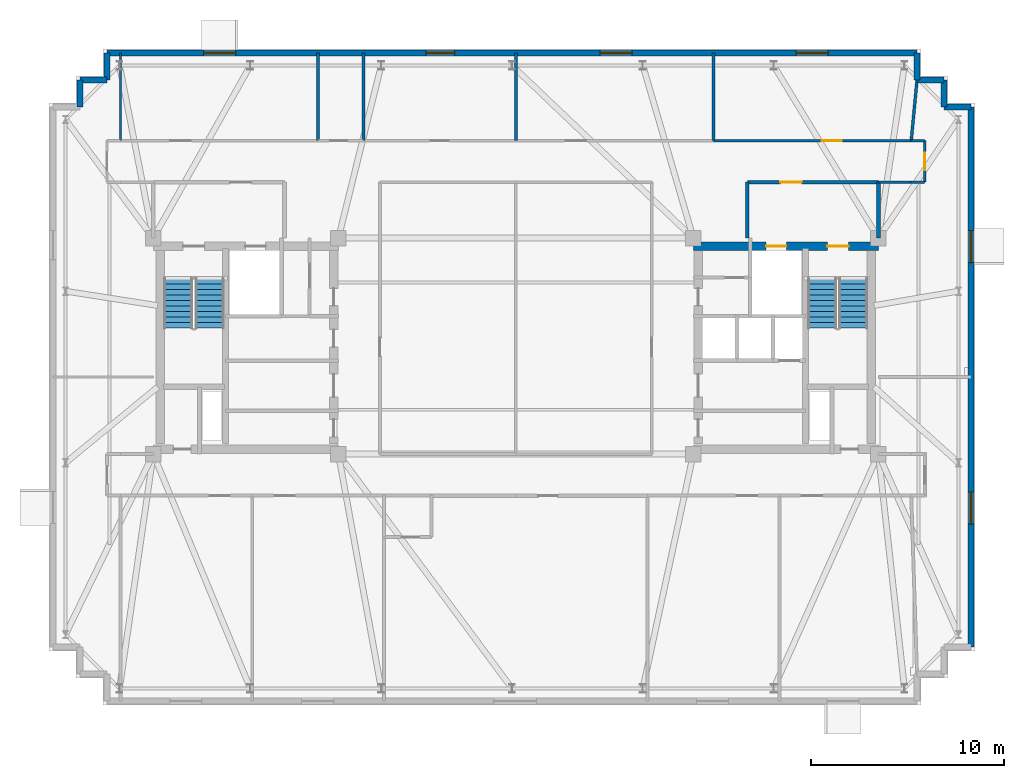
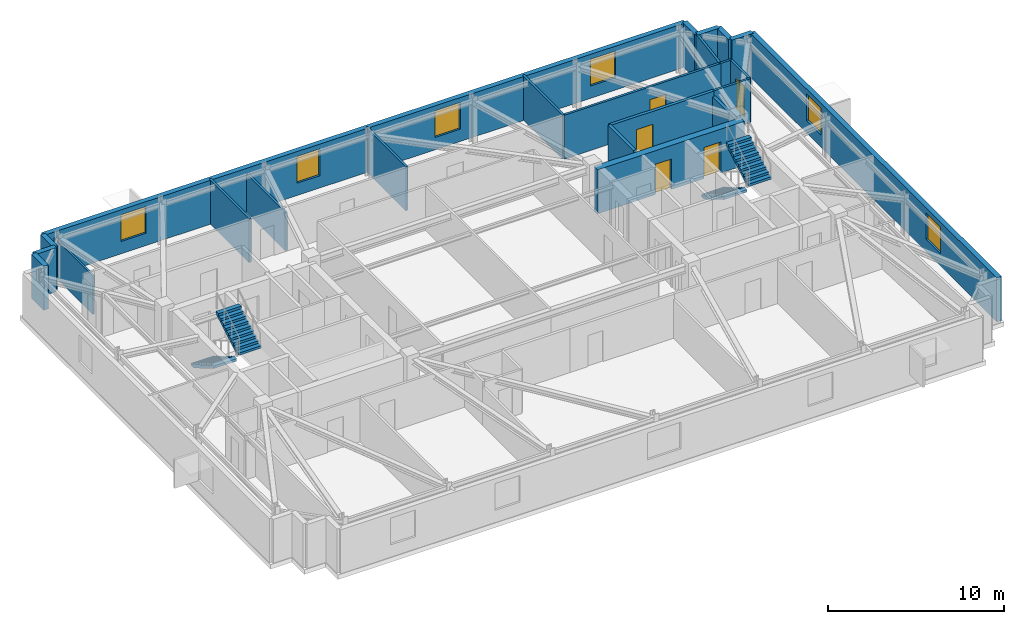
# One storey, part 8 of 10: 24 walls, 6 windows, 5 doors, 4 stair flights, 11 openings, 2 elements without a shape of their own.
"""IFC4 building model written with IfcOpenShell, lengths in metres."""

from ifc_helpers import new_model, si_unit, direction, frame, frame_2d, origin, place, context, subcontext, project, spatial, polyline, rectangle, outline, extrude, material, layer, layer_set, type_object, element, fill, aggregate, save


model = new_model("IFC4")

# Units and contexts
model_context = context("Model", 3, precision=1e-05, world=origin(), true_north=direction((0.0, 1.0)))
body_context = subcontext(model_context, "Body", "Model", "MODEL_VIEW")
ifc_project = project(units=[si_unit("LENGTHUNIT", "METRE"), si_unit("AREAUNIT", "SQUARE_METRE"), si_unit("VOLUMEUNIT", "CUBIC_METRE"), si_unit("PLANEANGLEUNIT", "RADIAN"), si_unit("MASSUNIT", "GRAM", prefix="KILO")], contexts=[model_context])

# Site, building, storey
site_placement = place(None, origin())
site = spatial("IfcSite", under=ifc_project, at=site_placement, CompositionType="ELEMENT")
building_placement = place(site_placement, origin())
building = spatial("IfcBuilding", under=site, at=building_placement, Name="Qobustan Lattice House", CompositionType="ELEMENT")
storey_placement = place(building_placement, frame((0.0, 0.0, 235.0)))
storey = spatial("IfcBuildingStorey", under=building, at=storey_placement, Name="L66", CompositionType="ELEMENT", Elevation=235.0)

# Wall, openings, doors
ifc_material_1 = material(Name="Concrete C50/60", Category="concrete")
ifc_layer_1 = layer(ifc_material_1, 0.43994140625)
ifc_layer_set_1 = layer_set([ifc_layer_1], Name="Concrete C50/60")
wall_type_1 = type_object("IfcWallType", Name="WAL-CORE-440", PredefinedType="SHEAR", material=ifc_layer_set_1)
wall_1_placement = place(storey_placement, frame((9.199951171875, 5.179931640625, 0.0), z_axis=(0.0, 0.0, 1.0), x_axis=(1.0, 0.0, 0.0)))
wall_1 = element("IfcWall", 1, at=wall_1_placement, inside=storey, type_object=wall_type_1, Name="L66 split-core shear wall CE-N", PredefinedType="SHEAR", context=body_context, shape_type="SweptSolid", body=[
    extrude(rectangle(XDim=9.60009765625, YDim=0.43994140625, at=frame_2d((4.800048828125, 0.0))), origin(), (0.0, 0.0, 1.0), 3.0400390625),
])
opening_1_placement = place(wall_1_placement, frame((6.949951171875, 0.0, 0.0)))
opening_1 = element("IfcOpeningElement", 2, at=opening_1_placement, cuts=wall_1, Name="Opening SD-01", PredefinedType="OPENING", context=body_context, shape_type="SweptSolid", body=[
    extrude(rectangle(XDim=1.10009765625, YDim=2.14990234375, at=frame_2d((0.550048828125, 1.074951171875))), frame((0.0, 0.22998046875, 0.0), z_axis=(0.0, -1.0, 0.0), x_axis=(1.0, 0.0, 0.0)), (0.0, 0.0, 1.0), 0.4599609375),
])
opening_2_placement = place(wall_1_placement, frame((3.77490234375, 0.0, 0.0)))
opening_2 = element("IfcOpeningElement", 3, at=opening_2_placement, cuts=wall_1, Name="Opening LD-01", PredefinedType="OPENING", context=body_context, shape_type="SweptSolid", body=[
    extrude(rectangle(XDim=1.050048828125, YDim=2.10009765625, at=frame_2d((0.52490234375, 1.050048828125))), frame((0.0, 0.22998046875, 0.0), z_axis=(0.0, -1.0, 0.0), x_axis=(1.0, 0.0, 0.0)), (0.0, 0.0, 1.0), 0.4599609375),
])
ifc_material_2 = material(Name="Persian walnut timber and steel frame door", Category="steel")
door_type_1 = type_object("IfcDoorType", Name="DOR-LIFT-LD-1050x2100", OperationType="NOTDEFINED", PredefinedType="DOOR", material=ifc_material_2)
door_1_placement = place(opening_2_placement, origin())
door_1 = element("IfcDoor", 4, at=door_1_placement, inside=storey, type_object=door_type_1, Name="L66 firefighting lift FF-E landing door", OperationType="DOUBLE_DOOR_SLIDING", OverallHeight=2.10009765625, OverallWidth=1.050048828125, PredefinedType="DOOR", context=body_context, shape_type="SweptSolid", body=[
    extrude(rectangle(XDim=1.050048828125, YDim=2.10009765625, at=frame_2d((0.52490234375, 1.050048828125))), frame((0.0, 0.02490234375, 0.0), z_axis=(0.0, -1.0, 0.0), x_axis=(1.0, 0.0, 0.0)), (0.0, 0.0, 1.0), 0.050048828125),
])
fill(opening_2, door_1)
ifc_material_3 = material(Name="Persian walnut timber and steel frame door", Category="steel")
door_type_2 = type_object("IfcDoorType", Name="DOR-STAIR-FD-1100x2150", OperationType="NOTDEFINED", PredefinedType="DOOR", material=ifc_material_3)
door_2_placement = place(opening_1_placement, origin())
door_2 = element("IfcDoor", 5, at=door_2_placement, inside=storey, type_object=door_type_2, Name="L66 exit stair ST-E1 fire door", OperationType="SINGLE_SWING_LEFT", OverallHeight=2.14990234375, OverallWidth=1.10009765625, PredefinedType="DOOR", context=body_context, shape_type="SweptSolid", body=[
    extrude(rectangle(XDim=1.10009765625, YDim=2.14990234375, at=frame_2d((0.550048828125, 1.074951171875))), frame((0.0, 0.02490234375, 0.0), z_axis=(0.0, -1.0, 0.0), x_axis=(1.0, 0.0, 0.0)), (0.0, 0.0, 1.0), 0.050048828125),
])
fill(opening_1, door_2)

# Walls
ifc_material_4 = material(Name="Precast concrete C40/50", Category="concrete")
ifc_layer_2 = layer(ifc_material_4, 0.320068359375)
ifc_layer_set_2 = layer_set([ifc_layer_2], Name="Precast concrete C40/50")
wall_type_2 = type_object("IfcWallType", Name="WAL-EXT-STONE-320", PredefinedType="SOLIDWALL", material=ifc_layer_set_2)
for number, where, z_axis, x_axis, name in (
    (6, (-22.60009765625, 12.39990234375, 0.0), (0.0, 0.0, 1.0), (0.0, 1.0, 0.0), "L66 exterior limestone-clad wall 7"),
    (7, (-22.60009765625, 13.800048828125, 0.0), (0.0, 0.0, 1.0), (1.0, 0.0, 0.0), "L66 exterior limestone-clad wall 8"),
):
    element("IfcWall", number, at=place(storey_placement, frame(where, z_axis=z_axis, x_axis=x_axis)), inside=storey, type_object=wall_type_2, Name=name, PredefinedType="SOLIDWALL", context=body_context, shape_type="SweptSolid", body=[
        extrude(rectangle(XDim=1.400146484375, YDim=0.320068359375, at=frame_2d((0.7001953125, 0.0))), origin(), (0.0, 0.0, 1.0), 3.0400390625),
    ])
wall_2_placement = place(storey_placement, frame((-21.199951171875, 13.800048828125, 0.0), z_axis=(0.0, 0.0, 1.0), x_axis=(0.0, 1.0, 0.0)))
element("IfcWall", 8, at=wall_2_placement, inside=storey, type_object=wall_type_2, Name="L66 exterior limestone-clad wall 9", PredefinedType="SOLIDWALL", context=body_context, shape_type="SweptSolid", body=[
    extrude(rectangle(XDim=1.39990234375, YDim=0.320068359375, at=frame_2d((0.699951171875, 0.0))), origin(), (0.0, 0.0, 1.0), 3.0400390625),
])

# Wall, openings, windows
wall_3_placement = place(storey_placement, frame((-21.199951171875, 15.199951171875, 0.0), z_axis=(0.0, 0.0, 1.0), x_axis=(1.0, 0.0, 0.0)))
wall_3 = element("IfcWall", 9, at=wall_3_placement, inside=storey, type_object=wall_type_2, Name="L66 exterior limestone-clad wall 10", PredefinedType="SOLIDWALL", context=body_context, shape_type="SweptSolid", body=[
    extrude(rectangle(XDim=42.0, YDim=0.320068359375, at=frame_2d((21.0, 0.0))), origin(), (0.0, 0.0, 1.0), 3.0400390625),
])
opening_3_placement = place(wall_3_placement, frame((5.014892578125, 0.0, 0.85009765625)))
opening_3 = element("IfcOpeningElement", 10, at=opening_3_placement, cuts=wall_3, Name="Opening WN-09", PredefinedType="OPENING", context=body_context, shape_type="SweptSolid", body=[
    extrude(rectangle(XDim=1.64990234375, YDim=1.85009765625, at=frame_2d((0.824951171875, 0.925048828125))), frame((0.0, 0.169921875, 0.0), z_axis=(0.0, -1.0, 0.0), x_axis=(1.0, 0.0, 0.0)), (0.0, 0.0, 1.0), 0.340087890625),
])
opening_4_placement = place(wall_3_placement, frame((16.530029296875, 0.0, 0.85009765625)))
opening_4 = element("IfcOpeningElement", 11, at=opening_4_placement, cuts=wall_3, Name="Opening WN-01", PredefinedType="OPENING", context=body_context, shape_type="SweptSolid", body=[
    extrude(rectangle(XDim=1.5, YDim=1.85009765625, at=frame_2d((0.75, 0.925048828125))), frame((0.0, 0.169921875, 0.0), z_axis=(0.0, -1.0, 0.0), x_axis=(1.0, 0.0, 0.0)), (0.0, 0.0, 1.0), 0.340087890625),
])
opening_5_placement = place(wall_3_placement, frame((25.574951171875, 0.0, 0.85009765625)))
opening_5 = element("IfcOpeningElement", 12, at=opening_5_placement, cuts=wall_3, Name="Opening WN-09", PredefinedType="OPENING", context=body_context, shape_type="SweptSolid", body=[
    extrude(rectangle(XDim=1.64990234375, YDim=1.85009765625, at=frame_2d((0.824951171875, 0.925048828125))), frame((0.0, 0.169921875, 0.0), z_axis=(0.0, -1.0, 0.0), x_axis=(1.0, 0.0, 0.0)), (0.0, 0.0, 1.0), 0.340087890625),
])
opening_6_placement = place(wall_3_placement, frame((35.735107421875, 0.0, 0.85009765625)))
opening_6 = element("IfcOpeningElement", 13, at=opening_6_placement, cuts=wall_3, Name="Opening WN-09", PredefinedType="OPENING", context=body_context, shape_type="SweptSolid", body=[
    extrude(rectangle(XDim=1.64990234375, YDim=1.85009765625, at=frame_2d((0.824951171875, 0.925048828125))), frame((0.0, 0.169921875, 0.0), z_axis=(0.0, -1.0, 0.0), x_axis=(1.0, 0.0, 0.0)), (0.0, 0.0, 1.0), 0.340087890625),
])
ifc_material_5 = material(Name="Double-glazed low-E aluminium window", Category="aluminium")
window_type_1 = type_object("IfcWindowType", Name="WIN-BED-1500x1850", PartitioningType="SINGLE_PANEL", PredefinedType="WINDOW", material=ifc_material_5)
window_1_placement = place(opening_4_placement, origin())
window_1 = element("IfcWindow", 14, at=window_1_placement, inside=storey, type_object=window_type_1, Name="L66 Laundry utility room window", OverallHeight=1.85009765625, OverallWidth=1.5, PartitioningType="SINGLE_PANEL", PredefinedType="WINDOW", context=body_context, shape_type="SweptSolid", body=[
    extrude(rectangle(XDim=1.5, YDim=1.85009765625, at=frame_2d((0.75, 0.925048828125))), frame((0.0, 0.030029296875, 0.0), z_axis=(0.0, -1.0, 0.0), x_axis=(1.0, 0.0, 0.0)), (0.0, 0.0, 1.0), 0.06005859375),
])
fill(opening_4, window_1)
ifc_material_6 = material(Name="Double-glazed low-E aluminium window", Category="aluminium")
window_type_2 = type_object("IfcWindowType", Name="WIN-STU-1650x1850", PartitioningType="SINGLE_PANEL", PredefinedType="WINDOW", material=ifc_material_6)
window_2_placement = place(opening_3_placement, origin())
window_2 = element("IfcWindow", 15, at=window_2_placement, inside=storey, type_object=window_type_2, Name="L66 Focus study room N1 window", OverallHeight=1.85009765625, OverallWidth=1.64990234375, PartitioningType="SINGLE_PANEL", PredefinedType="WINDOW", context=body_context, shape_type="SweptSolid", body=[
    extrude(rectangle(XDim=1.64990234375, YDim=1.85009765625, at=frame_2d((0.824951171875, 0.925048828125))), frame((0.0, 0.030029296875, 0.0), z_axis=(0.0, -1.0, 0.0), x_axis=(1.0, 0.0, 0.0)), (0.0, 0.0, 1.0), 0.06005859375),
])
fill(opening_3, window_2)
window_3_placement = place(opening_5_placement, origin())
window_3 = element("IfcWindow", 16, at=window_3_placement, inside=storey, type_object=window_type_2, Name="L66 Focus study room N3 window", OverallHeight=1.85009765625, OverallWidth=1.64990234375, PartitioningType="SINGLE_PANEL", PredefinedType="WINDOW", context=body_context, shape_type="SweptSolid", body=[
    extrude(rectangle(XDim=1.64990234375, YDim=1.85009765625, at=frame_2d((0.824951171875, 0.925048828125))), frame((0.0, 0.030029296875, 0.0), z_axis=(0.0, -1.0, 0.0), x_axis=(1.0, 0.0, 0.0)), (0.0, 0.0, 1.0), 0.06005859375),
])
fill(opening_5, window_3)
window_4_placement = place(opening_6_placement, origin())
window_4 = element("IfcWindow", 17, at=window_4_placement, inside=storey, type_object=window_type_2, Name="L66 Focus study room N4 window", OverallHeight=1.85009765625, OverallWidth=1.64990234375, PartitioningType="SINGLE_PANEL", PredefinedType="WINDOW", context=body_context, shape_type="SweptSolid", body=[
    extrude(rectangle(XDim=1.64990234375, YDim=1.85009765625, at=frame_2d((0.824951171875, 0.925048828125))), frame((0.0, 0.030029296875, 0.0), z_axis=(0.0, -1.0, 0.0), x_axis=(1.0, 0.0, 0.0)), (0.0, 0.0, 1.0), 0.06005859375),
])
fill(opening_6, window_4)

# Walls
for number, where, z_axis, x_axis, name in (
    (18, (20.800048828125, 15.199951171875, 0.0), (0.0, 0.0, 1.0), (0.0, -1.0, 0.0), "L66 exterior limestone-clad wall 11"),
    (19, (20.800048828125, 13.800048828125, 0.0), (0.0, 0.0, 1.0), (1.0, 0.0, 0.0), "L66 exterior limestone-clad wall 12"),
):
    element("IfcWall", number, at=place(storey_placement, frame(where, z_axis=z_axis, x_axis=x_axis)), inside=storey, type_object=wall_type_2, Name=name, PredefinedType="SOLIDWALL", context=body_context, shape_type="SweptSolid", body=[
        extrude(rectangle(XDim=1.39990234375, YDim=0.320068359375, at=frame_2d((0.699951171875, 0.0))), origin(), (0.0, 0.0, 1.0), 3.0400390625),
    ])
for number, where, z_axis, x_axis, name in (
    (20, (22.199951171875, 13.800048828125, 0.0), (0.0, 0.0, 1.0), (0.0, -1.0, 0.0), "L66 exterior limestone-clad wall 13"),
    (21, (22.199951171875, 12.39990234375, 0.0), (0.0, 0.0, 1.0), (1.0, 0.0, 0.0), "L66 exterior limestone-clad wall 14"),
):
    element("IfcWall", number, at=place(storey_placement, frame(where, z_axis=z_axis, x_axis=x_axis)), inside=storey, type_object=wall_type_2, Name=name, PredefinedType="SOLIDWALL", context=body_context, shape_type="SweptSolid", body=[
        extrude(rectangle(XDim=1.400146484375, YDim=0.320068359375, at=frame_2d((0.7001953125, 0.0))), origin(), (0.0, 0.0, 1.0), 3.0400390625),
    ])

# Wall, openings, windows
wall_4_placement = place(storey_placement, frame((23.60009765625, 12.39990234375, 0.0), z_axis=(0.0, 0.0, 1.0), x_axis=(0.0, -1.0, 0.0)))
wall_4 = element("IfcWall", 22, at=wall_4_placement, inside=storey, type_object=wall_type_2, Name="L66 exterior limestone-clad wall 15", PredefinedType="SOLIDWALL", context=body_context, shape_type="SweptSolid", body=[
    extrude(rectangle(XDim=28.0, YDim=0.320068359375, at=frame_2d((14.0, 0.0))), origin(), (0.0, 0.0, 1.0), 3.0400390625),
])
opening_7_placement = place(wall_4_placement, frame((6.4150390625, 0.0, 0.85009765625)))
opening_7 = element("IfcOpeningElement", 23, at=opening_7_placement, cuts=wall_4, Name="Opening WN-09", PredefinedType="OPENING", context=body_context, shape_type="SweptSolid", body=[
    extrude(rectangle(XDim=1.64990234375, YDim=1.85009765625, at=frame_2d((0.824951171875, 0.925048828125))), frame((0.0, 0.169921875, 0.0), z_axis=(0.0, -1.0, 0.0), x_axis=(1.0, 0.0, 0.0)), (0.0, 0.0, 1.0), 0.340087890625),
])
opening_8_placement = place(wall_4_placement, frame((19.97509765625, 0.0, 0.85009765625)))
opening_8 = element("IfcOpeningElement", 24, at=opening_8_placement, cuts=wall_4, Name="Opening WN-09", PredefinedType="OPENING", context=body_context, shape_type="SweptSolid", body=[
    extrude(rectangle(XDim=1.64990234375, YDim=1.85009765625, at=frame_2d((0.824951171875, 0.925048828125))), frame((0.0, 0.169921875, 0.0), z_axis=(0.0, -1.0, 0.0), x_axis=(1.0, 0.0, 0.0)), (0.0, 0.0, 1.0), 0.340087890625),
])
window_5_placement = place(opening_7_placement, origin())
window_5 = element("IfcWindow", 25, at=window_5_placement, inside=storey, type_object=window_type_2, Name="L66 Collaborative tutorial room window", OverallHeight=1.85009765625, OverallWidth=1.64990234375, PartitioningType="SINGLE_PANEL", PredefinedType="WINDOW", context=body_context, shape_type="SweptSolid", body=[
    extrude(rectangle(XDim=1.64990234375, YDim=1.85009765625, at=frame_2d((0.824951171875, 0.925048828125))), frame((0.0, 0.030029296875, 0.0), z_axis=(0.0, -1.0, 0.0), x_axis=(1.0, 0.0, 0.0)), (0.0, 0.0, 1.0), 0.06005859375),
])
fill(opening_7, window_5)
window_6_placement = place(opening_8_placement, origin())
window_6 = element("IfcWindow", 26, at=window_6_placement, inside=storey, type_object=window_type_2, Name="L66 Fellows reading room window", OverallHeight=1.85009765625, OverallWidth=1.64990234375, PartitioningType="SINGLE_PANEL", PredefinedType="WINDOW", context=body_context, shape_type="SweptSolid", body=[
    extrude(rectangle(XDim=1.64990234375, YDim=1.85009765625, at=frame_2d((0.824951171875, 0.925048828125))), frame((0.0, 0.030029296875, 0.0), z_axis=(0.0, -1.0, 0.0), x_axis=(1.0, 0.0, 0.0)), (0.0, 0.0, 1.0), 0.06005859375),
])
fill(opening_8, window_6)

# Wall
ifc_material_7 = material(Name="Lightweight acoustic stud partition", Category="gypsum")
ifc_layer_3 = layer(ifc_material_7, 0.125)
ifc_layer_set_3 = layer_set([ifc_layer_3], Name="Lightweight acoustic stud partition")
wall_type_3 = type_object("IfcWallType", Name="WAL-PART-125", PredefinedType="PARTITIONING", material=ifc_layer_set_3)
wall_5_placement = place(storey_placement, frame((-20.5, 15.199951171875, 0.0), z_axis=(0.0, 0.0, 1.0), x_axis=(0.0, -1.0, 0.0)))
element("IfcWall", 27, at=wall_5_placement, inside=storey, type_object=wall_type_3, Name="L66 interior partition 67", PredefinedType="PARTITIONING", context=body_context, shape_type="SweptSolid", body=[
    extrude(rectangle(XDim=4.550048828125, YDim=0.125, at=frame_2d((2.27490234375, 0.0))), origin(), (0.0, 0.0, 1.0), 2.6650390625),
])

# Wall, opening, door
ifc_material_8 = material(Name="Acoustic twin-stud gypsum partition", Category="gypsum")
ifc_layer_4 = layer(ifc_material_8, 0.14990234375)
ifc_layer_set_4 = layer_set([ifc_layer_4], Name="Acoustic twin-stud gypsum partition")
wall_type_4 = type_object("IfcWallType", Name="WAL-PART-150", PredefinedType="PARTITIONING", material=ifc_layer_set_4)
wall_6_placement = place(storey_placement, frame((21.199951171875, 10.64990234375, 0.0), z_axis=(0.0, 0.0, 1.0), x_axis=(0.0, -1.0, 0.0)))
wall_6 = element("IfcWall", 28, at=wall_6_placement, inside=storey, type_object=wall_type_4, Name="L66 interior partition 39", PredefinedType="PARTITIONING", context=body_context, shape_type="SweptSolid", body=[
    extrude(rectangle(XDim=2.14990234375, YDim=0.14990234375, at=frame_2d((1.074951171875, 0.0))), origin(), (0.0, 0.0, 1.0), 3.0400390625),
])
opening_9_placement = place(wall_6_placement, frame((0.625, 0.0, 0.0)))
opening_9 = element("IfcOpeningElement", 29, at=opening_9_placement, cuts=wall_6, Name="Opening WD-01", PredefinedType="OPENING", context=body_context, shape_type="SweptSolid", body=[
    extrude(rectangle(XDim=0.89990234375, YDim=2.10009765625, at=frame_2d((0.449951171875, 1.050048828125))), frame((0.0, 0.0849609375, 0.0), z_axis=(0.0, -1.0, 0.0), x_axis=(1.0, 0.0, 0.0)), (0.0, 0.0, 1.0), 0.169921875),
])
ifc_material_9 = material(Name="Persian walnut timber and steel frame door", Category="steel")
door_type_3 = type_object("IfcDoorType", Name="DOR-WET-900x2100", OperationType="NOTDEFINED", PredefinedType="DOOR", material=ifc_material_9)
door_3_placement = place(opening_9_placement, origin())
door_3 = element("IfcDoor", 30, at=door_3_placement, inside=storey, type_object=door_type_3, Name="L66 North-east floor corridor to Collaborative tutorial room door", OperationType="SINGLE_SWING_LEFT", OverallHeight=2.10009765625, OverallWidth=0.89990234375, PredefinedType="DOOR", context=body_context, shape_type="SweptSolid", body=[
    extrude(rectangle(XDim=0.89990234375, YDim=2.10009765625, at=frame_2d((0.449951171875, 1.050048828125))), frame((0.0, 0.02490234375, 0.0), z_axis=(0.0, -1.0, 0.0), x_axis=(1.0, 0.0, 0.0)), (0.0, 0.0, 1.0), 0.050048828125),
])
fill(opening_9, door_3)

# Walls
wall_7_placement = place(storey_placement, frame((20.5, 8.5, 0.0), z_axis=(0.0, 0.0, 1.0), x_axis=(-1.0, 0.0, 0.0)))
element("IfcWall", 31, at=wall_7_placement, inside=storey, type_object=wall_type_4, Name="L66 interior partition 40", PredefinedType="PARTITIONING", context=body_context, shape_type="SweptSolid", body=[
    extrude(rectangle(XDim=1.699951171875, YDim=0.14990234375, at=frame_2d((0.85009765625, 0.0))), origin(), (0.0, 0.0, 1.0), 3.0400390625),
])
for number, where, z_axis, x_axis, name in (
    (32, (20.5, 10.64990234375, 0.0), (0.0, 0.0, 1.0), (1.0, 0.0, 0.0), "L66 interior partition 41"),
    (33, (21.199951171875, 8.5, 0.0), (0.0, 0.0, 1.0), (-1.0, 0.0, 0.0), "L66 interior partition 42"),
):
    element("IfcWall", number, at=place(storey_placement, frame(where, z_axis=z_axis, x_axis=x_axis)), inside=storey, type_object=wall_type_4, Name=name, PredefinedType="PARTITIONING", context=body_context, shape_type="SweptSolid", body=[
        extrude(rectangle(XDim=0.699951171875, YDim=0.14990234375, at=frame_2d((0.35009765625, 0.0))), origin(), (0.0, 0.0, 1.0), 3.0400390625),
    ])

# Wall, opening, door
wall_8_placement = place(storey_placement, frame((10.25, 10.64990234375, 0.0), z_axis=(0.0, 0.0, 1.0), x_axis=(1.0, 0.0, 0.0)))
wall_8 = element("IfcWall", 34, at=wall_8_placement, inside=storey, type_object=wall_type_4, Name="L66 interior partition 44", PredefinedType="PARTITIONING", context=body_context, shape_type="SweptSolid", body=[
    extrude(rectangle(XDim=10.25, YDim=0.14990234375, at=frame_2d((5.125, 0.0))), origin(), (0.0, 0.0, 1.0), 3.0400390625),
])
opening_10_placement = place(wall_8_placement, frame((5.60498046875, 0.0, 0.0)))
opening_10 = element("IfcOpeningElement", 35, at=opening_10_placement, cuts=wall_8, Name="Opening ID-02", PredefinedType="OPENING", context=body_context, shape_type="SweptSolid", body=[
    extrude(rectangle(XDim=1.050048828125, YDim=2.14990234375, at=frame_2d((0.52490234375, 1.074951171875))), frame((0.0, 0.0849609375, 0.0), z_axis=(0.0, -1.0, 0.0), x_axis=(1.0, 0.0, 0.0)), (0.0, 0.0, 1.0), 0.169921875),
])
ifc_material_10 = material(Name="Persian walnut timber and steel frame door", Category="steel")
door_type_4 = type_object("IfcDoorType", Name="DOR-STUDY-1050x2150", OperationType="NOTDEFINED", PredefinedType="DOOR", material=ifc_material_10)
door_4_placement = place(opening_10_placement, origin())
door_4 = element("IfcDoor", 36, at=door_4_placement, inside=storey, type_object=door_type_4, Name="L66 North-east floor corridor to Focus study room N4 door", OperationType="SINGLE_SWING_LEFT", OverallHeight=2.14990234375, OverallWidth=1.050048828125, PredefinedType="DOOR", context=body_context, shape_type="SweptSolid", body=[
    extrude(rectangle(XDim=1.050048828125, YDim=2.14990234375, at=frame_2d((0.52490234375, 1.074951171875))), frame((0.0, 0.02490234375, 0.0), z_axis=(0.0, -1.0, 0.0), x_axis=(1.0, 0.0, 0.0)), (0.0, 0.0, 1.0), 0.050048828125),
])
fill(opening_10, door_4)

# Walls
wall_9_placement = place(storey_placement, frame((20.5, 10.64990234375, 0.0), z_axis=(0.0, 0.0, 1.0), x_axis=(0.094820015289, 0.99549443228, 0.0)))
element("IfcWall", 37, at=wall_9_placement, inside=storey, type_object=wall_type_4, Name="L66 interior partition 70", PredefinedType="PARTITIONING", context=body_context, shape_type="SweptSolid", body=[
    extrude(rectangle(XDim=3.164306640625, YDim=0.14990234375, at=frame_2d((1.58203125, 0.0))), origin(), (0.0, 0.0, 1.0), 3.0400390625),
])
for number, where, z_axis, x_axis, name in (
    (38, (0.0, 15.199951171875, 0.0), (0.0, 0.0, 1.0), (0.0, -1.0, 0.0), "L66 interior partition 73"),
    (39, (10.25, 15.199951171875, 0.0), (0.0, 0.0, 1.0), (0.0, -1.0, 0.0), "L66 interior partition 74"),
):
    element("IfcWall", number, at=place(storey_placement, frame(where, z_axis=z_axis, x_axis=x_axis)), inside=storey, type_object=wall_type_4, Name=name, PredefinedType="PARTITIONING", context=body_context, shape_type="SweptSolid", body=[
        extrude(rectangle(XDim=4.550048828125, YDim=0.14990234375, at=frame_2d((2.27490234375, 0.0))), origin(), (0.0, 0.0, 1.0), 3.0400390625),
    ])

# Wall, opening, door
ifc_material_11 = material(Name="Two-hour gypsum fireboard acoustic partition", Category="gypsum")
ifc_layer_5 = layer(ifc_material_11, 0.199951171875)
ifc_layer_set_5 = layer_set([ifc_layer_5], Name="Two-hour gypsum fireboard acoustic partition")
wall_type_5 = type_object("IfcWallType", Name="WAL-PROT-200", PredefinedType="PARTITIONING", material=ifc_layer_set_5)
wall_10_placement = place(storey_placement, frame((18.800048828125, 8.5, 0.0), z_axis=(0.0, 0.0, 1.0), x_axis=(-1.0, 0.0, 0.0)))
wall_10 = element("IfcWall", 40, at=wall_10_placement, inside=storey, type_object=wall_type_5, Name="L66 interior partition 18", PredefinedType="PARTITIONING", context=body_context, shape_type="SweptSolid", body=[
    extrude(rectangle(XDim=6.800048828125, YDim=0.199951171875, at=frame_2d((3.39990234375, 0.0))), origin(), (0.0, 0.0, 1.0), 3.0400390625),
])
opening_11_placement = place(wall_10_placement, frame((3.985107421875, 0.0, 0.0)))
opening_11 = element("IfcOpeningElement", 41, at=opening_11_placement, cuts=wall_10, Name="Opening SD-01", PredefinedType="OPENING", context=body_context, shape_type="SweptSolid", body=[
    extrude(rectangle(XDim=1.10009765625, YDim=2.14990234375, at=frame_2d((0.550048828125, 1.074951171875))), frame((0.0, 0.10986328125, 0.0), z_axis=(0.0, -1.0, 0.0), x_axis=(1.0, 0.0, 0.0)), (0.0, 0.0, 1.0), 0.219970703125),
])
door_5_placement = place(opening_11_placement, origin())
door_5 = element("IfcDoor", 42, at=door_5_placement, inside=storey, type_object=door_type_2, Name="L66 East firefighting lift lobby to North-east floor corridor door", OperationType="SINGLE_SWING_RIGHT", OverallHeight=2.14990234375, OverallWidth=1.10009765625, PredefinedType="DOOR", context=body_context, shape_type="SweptSolid", body=[
    extrude(rectangle(XDim=1.10009765625, YDim=2.14990234375, at=frame_2d((0.550048828125, 1.074951171875))), frame((0.0, 0.02490234375, 0.0), z_axis=(0.0, -1.0, 0.0), x_axis=(1.0, 0.0, 0.0)), (0.0, 0.0, 1.0), 0.050048828125),
])
fill(opening_11, door_5)

# Walls
wall_11_placement = place(storey_placement, frame((12.0, 8.5, 0.0), z_axis=(0.0, 0.0, 1.0), x_axis=(0.0, -1.0, 0.0)))
element("IfcWall", 43, at=wall_11_placement, inside=storey, type_object=wall_type_5, Name="L66 interior partition 19", PredefinedType="PARTITIONING", context=body_context, shape_type="SweptSolid", body=[
    extrude(rectangle(XDim=2.89990234375, YDim=0.199951171875, at=frame_2d((1.449951171875, 0.0))), origin(), (0.0, 0.0, 1.0), 3.0400390625),
])
wall_12_placement = place(storey_placement, frame((18.800048828125, 5.60009765625, 0.0), z_axis=(0.0, 0.0, 1.0), x_axis=(0.0, 1.0, 0.0)))
element("IfcWall", 44, at=wall_12_placement, inside=storey, type_object=wall_type_5, Name="L66 interior partition 20", PredefinedType="PARTITIONING", context=body_context, shape_type="SweptSolid", body=[
    extrude(rectangle(XDim=2.89990234375, YDim=0.199951171875, at=frame_2d((1.449951171875, 0.0))), origin(), (0.0, 0.0, 1.0), 2.6650390625),
])
ifc_material_12 = material(Name="Moisture-resistant acoustic plumbing wall", Category="gypsum")
ifc_layer_6 = layer(ifc_material_12, 0.14990234375)
ifc_layer_set_6 = layer_set([ifc_layer_6], Name="Moisture-resistant acoustic plumbing wall")
wall_type_6 = type_object("IfcWallType", Name="WAL-WET-150", PredefinedType="PLUMBINGWALL", material=ifc_layer_set_6)
wall_13_placement = place(storey_placement, frame((-10.25, 15.199951171875, 0.0), z_axis=(0.0, 0.0, 1.0), x_axis=(0.0, -1.0, 0.0)))
element("IfcWall", 45, at=wall_13_placement, inside=storey, type_object=wall_type_6, Name="L66 interior partition 71", PredefinedType="PLUMBINGWALL", context=body_context, shape_type="SweptSolid", body=[
    extrude(rectangle(XDim=4.550048828125, YDim=0.14990234375, at=frame_2d((2.27490234375, 0.0))), origin(), (0.0, 0.0, 1.0), 3.0400390625),
])
wall_14_placement = place(storey_placement, frame((-7.89990234375, 15.199951171875, 0.0), z_axis=(0.0, 0.0, 1.0), x_axis=(0.0, -1.0, 0.0)))
element("IfcWall", 46, at=wall_14_placement, inside=storey, type_object=wall_type_6, Name="L66 interior partition 72", PredefinedType="PLUMBINGWALL", context=body_context, shape_type="SweptSolid", body=[
    extrude(rectangle(XDim=4.550048828125, YDim=0.14990234375, at=frame_2d((2.27490234375, 0.0))), origin(), (0.0, 0.0, 1.0), 2.6650390625),
])

# Stair, stair flights
ifc_material_13 = material(Name="Concrete C40/50", Category="concrete")
stair_type = type_object("IfcStairType", Name="STR-CORE-DOGLEG", PredefinedType="HALF_TURN_STAIR", material=ifc_material_13)
stair_1_placement = place(storey_placement, origin())
stair_1 = element("IfcStair", 47, at=stair_1_placement, inside=storey, type_object=stair_type, Name="L66 West protected exit stair ST-W1", PredefinedType="HALF_TURN_STAIR")
ifc_material_14 = material(Name="Concrete C40/50", Category="concrete")
stair_flight_type = type_object("IfcStairFlightType", Name="SFL-RC-1500", PredefinedType="STRAIGHT", material=ifc_material_14)
stair_flight_1_placement = place(storey_placement, frame((-17.5, 3.5, 0.0), z_axis=(0.0, 0.0, 1.0), x_axis=(0.0, -1.0, 0.0)))
stair_flight_1 = element("IfcStairFlight", 48, at=stair_flight_1_placement, type_object=stair_flight_type, Name="ST-W1 flight 1", NumberOfRisers=10, NumberOfTreads=9, PredefinedType="STRAIGHT", RiserHeight=0.1675, TreadLength=0.285, context=body_context, shape_type="SweptSolid", body=[
    extrude(outline(polyline([(0.0, 0.0), (0.0, 0.16748046875), (0.284912109375, 0.16748046875), (0.284912109375, 0.3349609375), (0.570068359375, 0.3349609375), (0.570068359375, 0.50244140625), (0.85498046875, 0.50244140625), (0.85498046875, 0.669921875), (1.139892578125, 0.669921875), (1.139892578125, 0.83740234375), (1.425048828125, 0.83740234375), (1.425048828125, 1.0048828125), (1.7099609375, 1.0048828125), (1.7099609375, 1.172607421875), (1.9951171875, 1.172607421875), (1.9951171875, 1.340087890625), (2.280029296875, 1.340087890625), (2.280029296875, 1.507568359375), (2.56494140625, 1.507568359375), (2.56494140625, 1.675048828125), (2.56494140625, 1.333740234375), (0.2958984375, 0.0), (0.0, 0.0)])), frame((0.0, 0.75, 0.0), z_axis=(0.0, -1.0, 0.0), x_axis=(1.0, 0.0, 0.0)), (0.0, 0.0, 1.0), 1.5),
])
stair_flight_2_placement = place(storey_placement, frame((-15.8798828125, 0.93505859375, 1.675048828125), z_axis=(0.0, 0.0, 1.0), x_axis=(0.0, 1.0, 0.0)))
stair_flight_2 = element("IfcStairFlight", 49, at=stair_flight_2_placement, type_object=stair_flight_type, Name="ST-W1 flight 2", NumberOfRisers=10, NumberOfTreads=9, PredefinedType="STRAIGHT", RiserHeight=0.1675, TreadLength=0.285, context=body_context, shape_type="SweptSolid", body=[
    extrude(outline(polyline([(0.0, 0.0), (0.0, 0.16748046875), (0.284912109375, 0.16748046875), (0.284912109375, 0.3349609375), (0.570068359375, 0.3349609375), (0.570068359375, 0.50244140625), (0.85498046875, 0.50244140625), (0.85498046875, 0.669921875), (1.139892578125, 0.669921875), (1.139892578125, 0.83740234375), (1.425048828125, 0.83740234375), (1.425048828125, 1.0048828125), (1.7099609375, 1.0048828125), (1.7099609375, 1.172607421875), (1.9951171875, 1.172607421875), (1.9951171875, 1.340087890625), (2.280029296875, 1.340087890625), (2.280029296875, 1.507568359375), (2.56494140625, 1.507568359375), (2.56494140625, 1.675048828125), (2.56494140625, 1.333740234375), (0.2958984375, 0.0), (0.0, 0.0)])), frame((0.0, 0.75, 0.0), z_axis=(0.0, -1.0, 0.0), x_axis=(1.0, 0.0, 0.0)), (0.0, 0.0, 1.0), 1.5),
])
aggregate(stair_1, [stair_flight_1, stair_flight_2])

stair_2_placement = place(storey_placement, origin())
stair_2 = element("IfcStair", 50, at=stair_2_placement, inside=storey, type_object=stair_type, Name="L66 East protected exit stair ST-E1", PredefinedType="HALF_TURN_STAIR")
stair_flight_3_placement = place(storey_placement, frame((15.8798828125, 3.5, 0.0), z_axis=(0.0, 0.0, 1.0), x_axis=(0.0, -1.0, 0.0)))
stair_flight_3 = element("IfcStairFlight", 51, at=stair_flight_3_placement, type_object=stair_flight_type, Name="ST-E1 flight 1", NumberOfRisers=10, NumberOfTreads=9, PredefinedType="STRAIGHT", RiserHeight=0.1675, TreadLength=0.285, context=body_context, shape_type="SweptSolid", body=[
    extrude(outline(polyline([(0.0, 0.0), (0.0, 0.16748046875), (0.284912109375, 0.16748046875), (0.284912109375, 0.3349609375), (0.570068359375, 0.3349609375), (0.570068359375, 0.50244140625), (0.85498046875, 0.50244140625), (0.85498046875, 0.669921875), (1.139892578125, 0.669921875), (1.139892578125, 0.83740234375), (1.425048828125, 0.83740234375), (1.425048828125, 1.0048828125), (1.7099609375, 1.0048828125), (1.7099609375, 1.172607421875), (1.9951171875, 1.172607421875), (1.9951171875, 1.340087890625), (2.280029296875, 1.340087890625), (2.280029296875, 1.507568359375), (2.56494140625, 1.507568359375), (2.56494140625, 1.675048828125), (2.56494140625, 1.333740234375), (0.2958984375, 0.0), (0.0, 0.0)])), frame((0.0, 0.75, 0.0), z_axis=(0.0, -1.0, 0.0), x_axis=(1.0, 0.0, 0.0)), (0.0, 0.0, 1.0), 1.5),
])
stair_flight_4_placement = place(storey_placement, frame((17.5, 0.93505859375, 1.675048828125), z_axis=(0.0, 0.0, 1.0), x_axis=(0.0, 1.0, 0.0)))
stair_flight_4 = element("IfcStairFlight", 52, at=stair_flight_4_placement, type_object=stair_flight_type, Name="ST-E1 flight 2", NumberOfRisers=10, NumberOfTreads=9, PredefinedType="STRAIGHT", RiserHeight=0.1675, TreadLength=0.285, context=body_context, shape_type="SweptSolid", body=[
    extrude(outline(polyline([(0.0, 0.0), (0.0, 0.16748046875), (0.284912109375, 0.16748046875), (0.284912109375, 0.3349609375), (0.570068359375, 0.3349609375), (0.570068359375, 0.50244140625), (0.85498046875, 0.50244140625), (0.85498046875, 0.669921875), (1.139892578125, 0.669921875), (1.139892578125, 0.83740234375), (1.425048828125, 0.83740234375), (1.425048828125, 1.0048828125), (1.7099609375, 1.0048828125), (1.7099609375, 1.172607421875), (1.9951171875, 1.172607421875), (1.9951171875, 1.340087890625), (2.280029296875, 1.340087890625), (2.280029296875, 1.507568359375), (2.56494140625, 1.507568359375), (2.56494140625, 1.675048828125), (2.56494140625, 1.333740234375), (0.2958984375, 0.0), (0.0, 0.0)])), frame((0.0, 0.75, 0.0), z_axis=(0.0, -1.0, 0.0), x_axis=(1.0, 0.0, 0.0)), (0.0, 0.0, 1.0), 1.5),
])
aggregate(stair_2, [stair_flight_3, stair_flight_4])

save(model, "model.ifc")
